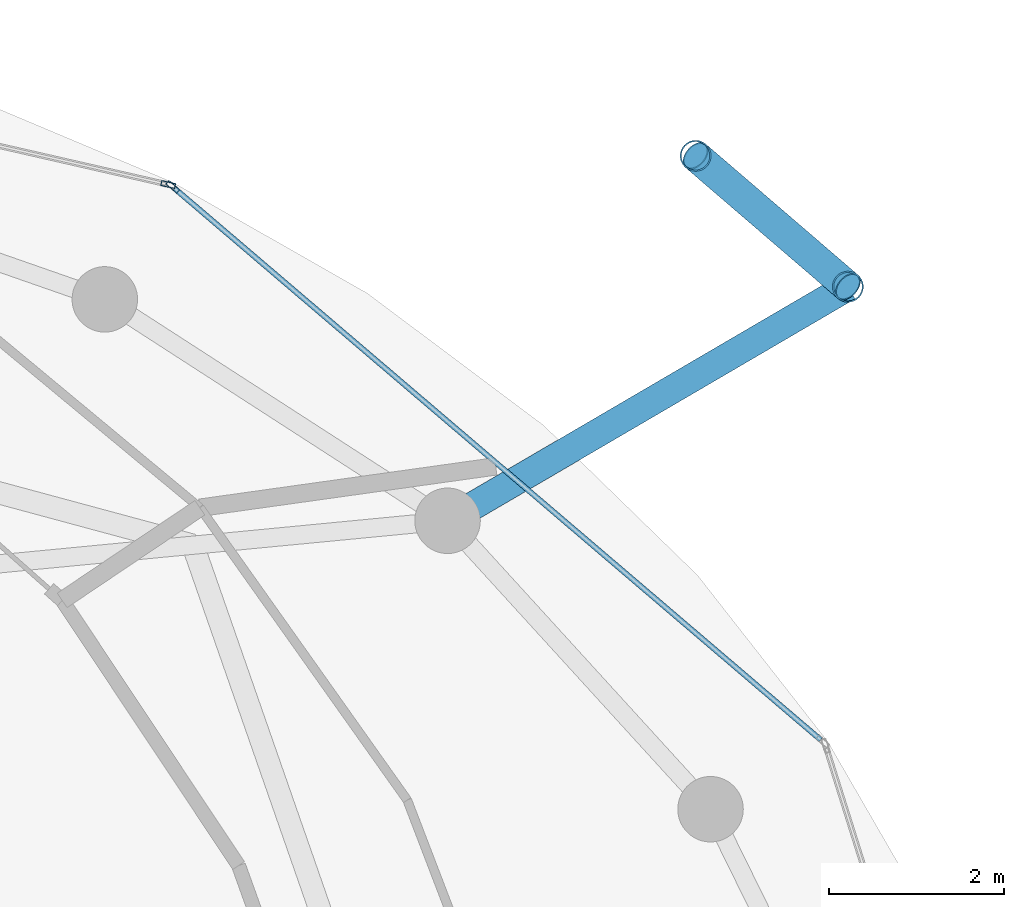
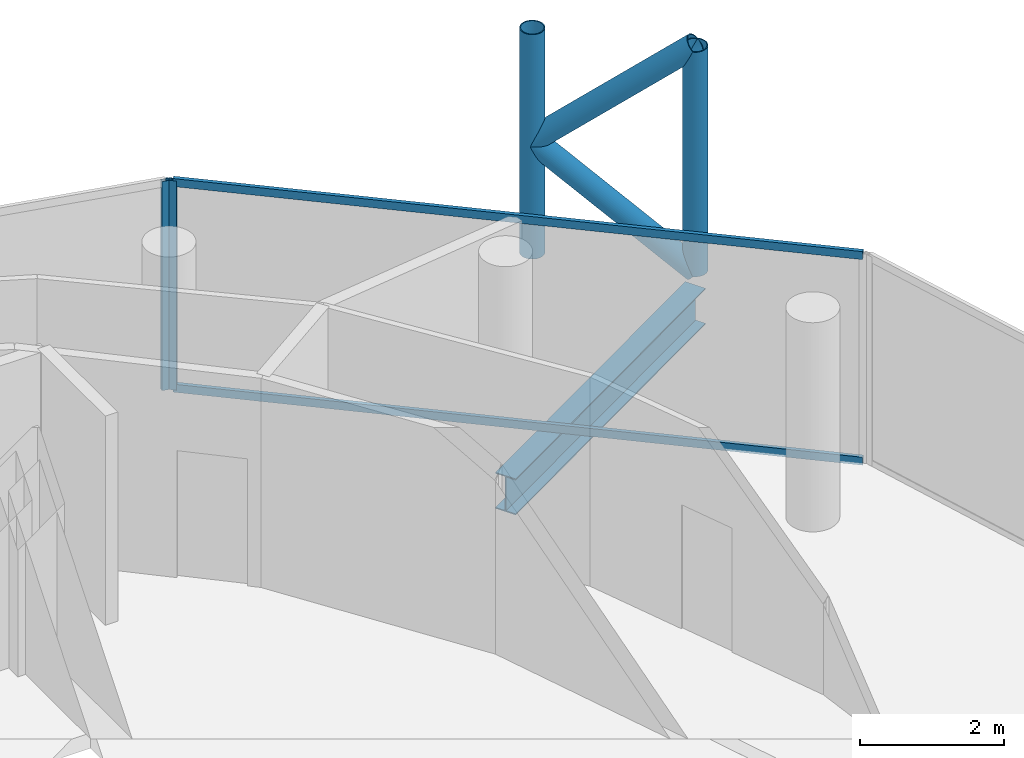
# One storey, part 18 of 24: 8 members, 1 beam, 2 elements without a shape of their own.
"""IFC4 building model written with IfcOpenShell, lengths in metres."""

from ifc_helpers import new_model, si_unit, direction, frame, origin, origin_2d, place, context, subcontext, project, spatial, hollow_rectangle, hollow_circle, i_section, extrude, material, layer, layer_set, material_profile, profile_set, type_object, element, aggregate, save


model = new_model("IFC4")

# Units and contexts
model_context = context("Model", 3, precision=1e-05, world=origin(), true_north=direction((0.0, 1.0)))
body_context = subcontext(model_context, "Body", "Model", "MODEL_VIEW")
ifc_project = project(units=[si_unit("LENGTHUNIT", "METRE"), si_unit("AREAUNIT", "SQUARE_METRE"), si_unit("VOLUMEUNIT", "CUBIC_METRE"), si_unit("PLANEANGLEUNIT", "RADIAN"), si_unit("MASSUNIT", "GRAM", prefix="KILO")], contexts=[model_context])

# Site, building, storey
site_placement = place(None, origin())
site = spatial("IfcSite", under=ifc_project, at=site_placement, CompositionType="ELEMENT")
building_placement = place(site_placement, origin())
building = spatial("IfcBuilding", under=site, at=building_placement, Name="Nuhasar Tower", CompositionType="ELEMENT")
storey_placement = place(building_placement, frame((0.0, 0.0, 270.800048828125)))
storey = spatial("IfcBuildingStorey", under=building, at=storey_placement, Name="L67", CompositionType="ELEMENT", Elevation=270.800048828125)

# Beam
ifc_material_1 = material(Name="Steel S355", Category="steel")
ifc_material_profile_1 = material_profile(ifc_material_1, i_section(OverallWidth=0.323974609375, OverallDepth=0.611083984375, WebThickness=0.0126953125, FlangeThickness=0.01904296875, at=origin_2d()), Name="W24X104")
ifc_profile_set_1 = profile_set([ifc_material_profile_1], Name="Steel S355")
beam_type = type_object("IfcBeamType", Name="BM-TIE-W24X104", PredefinedType="BEAM", material=ifc_profile_set_1)
beam_placement = place(storey_placement, frame((52.39990234375, 38.077880859375, -0.56494140625), z_axis=(0.863271521286, 0.504739814693, 0.0), x_axis=(-0.504739814693, 0.863271521286, 0.0)))
element("IfcBeam", 1, at=beam_placement, inside=storey, type_object=beam_type, Name="L67 Exoskeleton Node Tie Beam 02", PredefinedType="BEAM", context=body_context, shape_type="SweptSolid", body=[
    extrude(i_section(OverallWidth=0.323974609375, OverallDepth=0.611083984375, WebThickness=0.0126953125, FlangeThickness=0.01904296875, at=origin_2d()), origin(), (0.0, 0.0, 1.0), 5.31005859375),
])

# Curtain wall, member
ifc_material_2 = material(Name="Aluminium 6063-T6", Category="aluminium")
ifc_layer = layer(ifc_material_2, 0.18994140625)
ifc_layer_set = layer_set([ifc_layer], Name="Aluminium 6063-T6")
curtain_wall_type = type_object("IfcCurtainWallType", Name="CW-Z4-PEN", PredefinedType="NOTDEFINED", material=ifc_layer_set)
curtain_wall_1_placement = place(storey_placement, origin())
curtain_wall_1 = element("IfcCurtainWall", 2, at=curtain_wall_1_placement, inside=storey, type_object=curtain_wall_type, Name="L67 Unitised Curtain Wall 02", PredefinedType="NOTDEFINED")
ifc_material_profile_2 = material_profile(ifc_material_2, hollow_rectangle(XDim=0.06005859375, YDim=0.1650390625, WallThickness=0.0048828125, at=origin_2d()), Name="CWM-5")
ifc_profile_set_2 = profile_set([ifc_material_profile_2], Name="Aluminium 6063-T6")
member_type_1 = type_object("IfcMemberType", Name="CW-MUL-S5", PredefinedType="MULLION", material=ifc_profile_set_2)
member_1_placement = place(storey_placement, frame((49.2529296875, 41.901611328125, 0.0), z_axis=(0.0, 0.0, 1.0), x_axis=(-0.649141996205, -0.760667252327, 0.0)))
member_1 = element("IfcMember", 3, at=member_1_placement, type_object=member_type_1, Name="CW-Z4 mullion 2", PredefinedType="MULLION", context=body_context, shape_type="SweptSolid", body=[
    extrude(hollow_rectangle(XDim=0.06005859375, YDim=0.1650390625, WallThickness=0.0048828125, at=origin_2d()), origin(), (0.0, 0.0, 1.0), 3.5400390625),
])

curtain_wall_2_placement = place(storey_placement, origin())
curtain_wall_2 = element("IfcCurtainWall", 4, at=curtain_wall_2_placement, inside=storey, type_object=curtain_wall_type, Name="L67 Unitised Curtain Wall 03", PredefinedType="NOTDEFINED")
member_2_placement = place(storey_placement, frame((49.20068359375, 41.927734375, 0.0), z_axis=(0.0, 0.0, 1.0), x_axis=(-0.222889487645, -0.97484371891, 0.0)))
member_2 = element("IfcMember", 5, at=member_2_placement, type_object=member_type_1, Name="CW-Z4 mullion 1", PredefinedType="MULLION", context=body_context, shape_type="SweptSolid", body=[
    extrude(hollow_rectangle(XDim=0.06005859375, YDim=0.1650390625, WallThickness=0.0048828125, at=origin_2d()), origin(), (0.0, 0.0, 1.0), 3.5400390625),
])
aggregate(curtain_wall_2, [member_2])

# Member
ifc_material_profile_3 = material_profile(ifc_material_2, hollow_rectangle(XDim=0.06005859375, YDim=0.135009765625, WallThickness=0.00439453125, at=origin_2d()), Name="CWT-5")
ifc_profile_set_3 = profile_set([ifc_material_profile_3], Name="Aluminium 6063-T6")
member_type_2 = type_object("IfcMemberType", Name="CW-TRN-S5", PredefinedType="USERDEFINED", material=ifc_profile_set_3)
member_3_placement = place(storey_placement, frame((56.67333984375, 35.56884765625, 0.030029296875), z_axis=(-0.760660035709, 0.649150452573, 0.0), x_axis=(-0.649150452573, -0.760660035709, 0.0)))
member_3 = element("IfcMember", 6, at=member_3_placement, type_object=member_type_2, Name="CW-Z4 transom 1.1", ObjectType="TRANSOM", PredefinedType="USERDEFINED", context=body_context, shape_type="SweptSolid", body=[
    extrude(hollow_rectangle(XDim=0.06005859375, YDim=0.135009765625, WallThickness=0.00439453125, at=origin_2d()), origin(), (0.0, 0.0, 1.0), 9.725341796875),
])

member_4_placement = place(storey_placement, frame((56.67333984375, 35.56884765625, 3.510009765625), z_axis=(-0.760660035709, 0.649150452573, 0.0), x_axis=(-0.649150452573, -0.760660035709, 0.0)))
member_4 = element("IfcMember", 7, at=member_4_placement, type_object=member_type_2, Name="CW-Z4 transom 1.2", ObjectType="TRANSOM", PredefinedType="USERDEFINED", context=body_context, shape_type="SweptSolid", body=[
    extrude(hollow_rectangle(XDim=0.06005859375, YDim=0.135009765625, WallThickness=0.00439453125, at=origin_2d()), origin(), (0.0, 0.0, 1.0), 9.725341796875),
])

aggregate(curtain_wall_1, [member_1, member_3, member_4])

# Members
ifc_material_3 = material(Name="Steel S460", Category="steel")
ifc_material_profile_4 = material_profile(ifc_material_3, hollow_circle(Radius=0.177734375, WallThickness=0.015869140625, at=origin_2d()), Name="HSS355.6X15.9")
ifc_profile_set_4 = profile_set([ifc_material_profile_4], Name="Steel S460")
member_type_3 = type_object("IfcMemberType", Name="EXO-BRONZE-356", PredefinedType="BRACE", material=ifc_profile_set_4)
for number, where, z_axis, x_axis, name in (
    (8, (56.98388671875, 40.758056640625, 0.0), (0.0, 0.0, 1.0), (1.0, 0.0, 0.0), "L67 Exoskeleton Chord Column EC-02A"),
    (9, (55.239990234375, 42.257080078125, 0.0), (0.0, 0.0, 1.0), (1.0, 0.0, 0.0), "L67 Exoskeleton Chord Column EC-02B"),
):
    element("IfcMember", number, at=place(storey_placement, frame(where, z_axis=z_axis, x_axis=x_axis)), inside=storey, type_object=member_type_3, Name=name, PredefinedType="BRACE", context=body_context, shape_type="SweptSolid", body=[
        extrude(hollow_circle(Radius=0.177734375, WallThickness=0.015869140625, at=origin_2d()), origin(), (0.0, 0.0, 1.0), 3.800048828125),
    ])
member_5_placement = place(storey_placement, frame((56.98388671875, 40.758056640625, 0.0), z_axis=(-0.584625223306, 0.502533791278, 0.636924749792), x_axis=(-0.65185738425, -0.758341579104, 0.0)))
element("IfcMember", 10, at=member_5_placement, inside=storey, type_object=member_type_3, Name="L67 Bronze Diagrid Brace W1-02", PredefinedType="BRACE", context=body_context, shape_type="SweptSolid", body=[
    extrude(hollow_circle(Radius=0.177734375, WallThickness=0.015869140625, at=origin_2d()), origin(), (0.0, 0.0, 1.0), 2.98291015625),
])
member_6_placement = place(storey_placement, frame((55.239990234375, 42.257080078125, 1.89990234375), z_axis=(0.584594747408, -0.50250759472, 0.636973389203), x_axis=(0.65185738425, 0.758341579104, 0.0)))
element("IfcMember", 11, at=member_6_placement, inside=storey, type_object=member_type_3, Name="L67 Bronze Diagrid Brace W2-02", PredefinedType="BRACE", context=body_context, shape_type="SweptSolid", body=[
    extrude(hollow_circle(Radius=0.177734375, WallThickness=0.015869140625, at=origin_2d()), origin(), (0.0, 0.0, 1.0), 2.983154296875),
])

save(model, "model.ifc")
